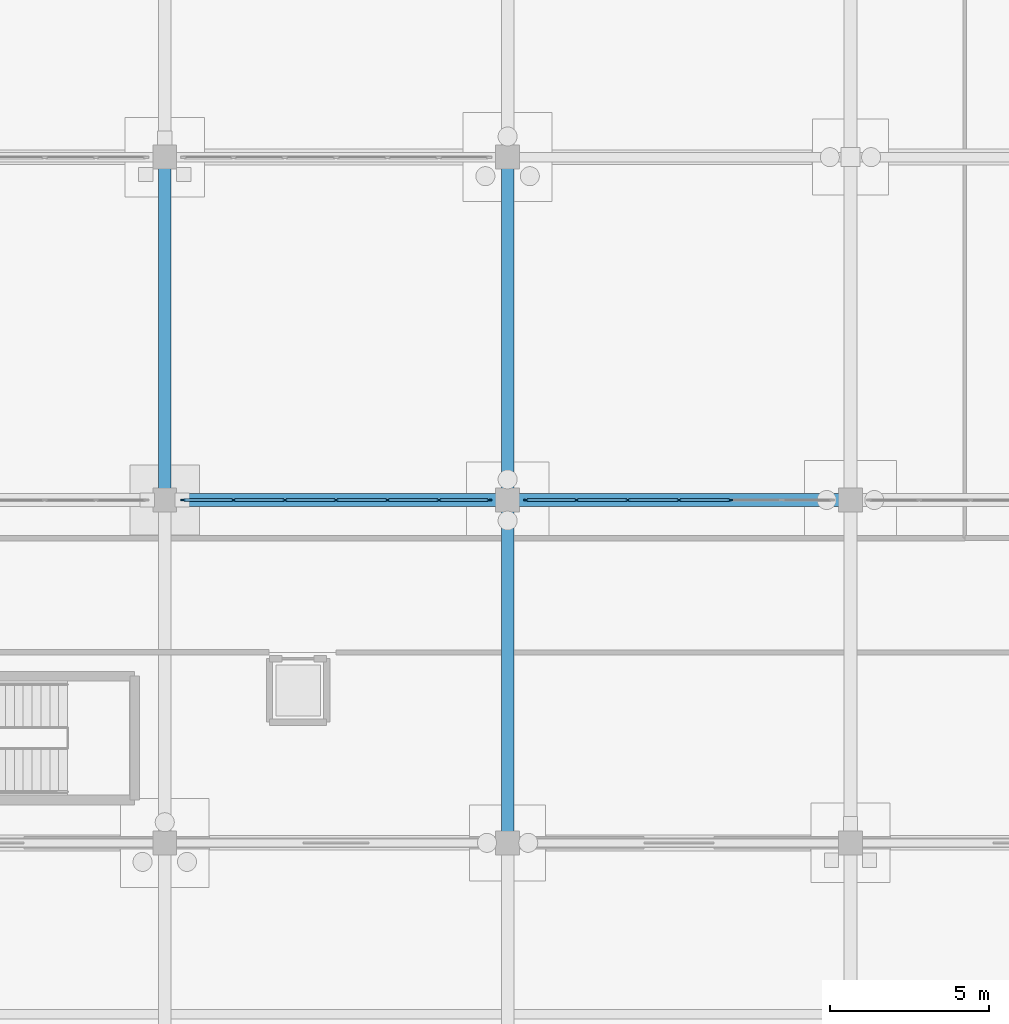
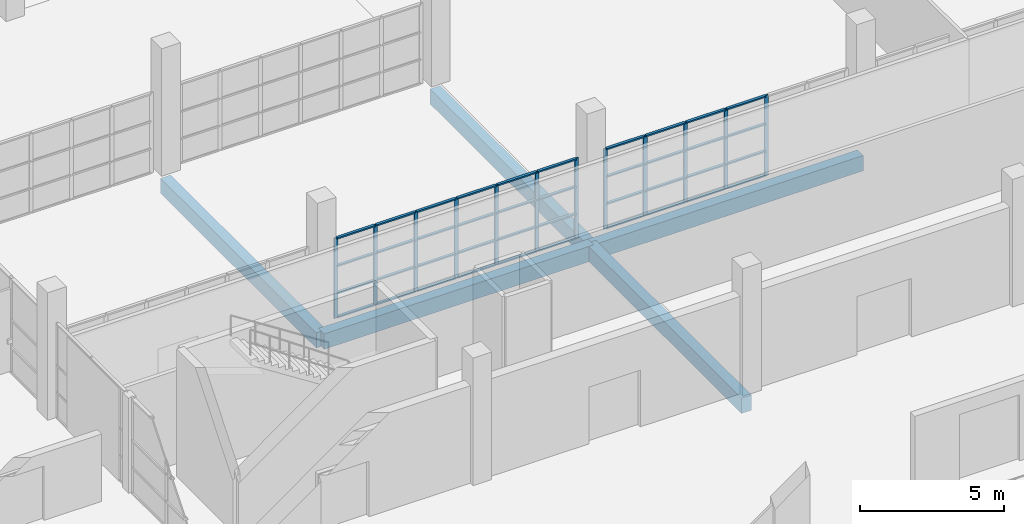
# One storey, part 34 of 138: 52 members, 5 beams, 2 elements without a shape of their own.
"""IFC4 building model written with IfcOpenShell, lengths in metres."""

from ifc_helpers import new_model, si_unit, direction, frame, origin, origin_2d, place, context, subcontext, project, spatial, rectangle, extrude, material, material_profile, profile_set, type_object, element, aggregate, save


model = new_model("IFC4")

# Units and contexts
model_context = context("Model", 3, precision=1e-05, world=origin(), true_north=direction((0.0, 1.0)))
body_context = subcontext(model_context, "Body", "Model", "MODEL_VIEW")
ifc_project = project(units=[si_unit("LENGTHUNIT", "METRE"), si_unit("AREAUNIT", "SQUARE_METRE"), si_unit("VOLUMEUNIT", "CUBIC_METRE"), si_unit("PLANEANGLEUNIT", "RADIAN"), si_unit("MASSUNIT", "GRAM", prefix="KILO")], contexts=[model_context])

# Site, building, storey
site_placement = place(None, origin())
site = spatial("IfcSite", under=ifc_project, at=site_placement, CompositionType="ELEMENT")
building_placement = place(site_placement, origin())
building = spatial("IfcBuilding", under=site, at=building_placement, Name="Zwinboog Wholesale Market", CompositionType="ELEMENT")
storey_placement = place(building_placement, origin())
storey = spatial("IfcBuildingStorey", under=building, at=storey_placement, Name="L00", CompositionType="ELEMENT", Elevation=0.0)

# Beams
ifc_material_1 = material(Name="Precast concrete C45/55", Category="concrete")
ifc_material_profile_1 = material_profile(ifc_material_1, rectangle(XDim=0.39990234375, YDim=0.64990234375, at=origin_2d()), Name="PC 400x650")
ifc_profile_set_1 = profile_set([ifc_material_profile_1], Name="Precast concrete C45/55")
beam_type = type_object("IfcBeamType", Name="BT-05", PredefinedType="BEAM", material=ifc_profile_set_1)
beam_placement = place(storey_placement, frame((75.60009765625, 54.0, -0.68994140625), z_axis=(1.0, 0.0, 0.0), x_axis=(0.0, 1.0, 0.0)))
element("IfcBeam", 1, at=beam_placement, inside=storey, type_object=beam_type, Name="BG-05 (BMG-L00-0756-0540-0074)", PredefinedType="BEAM", context=body_context, shape_type="SweptSolid", body=[
    extrude(rectangle(XDim=0.39990234375, YDim=0.64990234375, at=origin_2d()), origin(), (0.0, 0.0, 1.0), 10.7998046875),
])
for number, where, z_axis, x_axis, name in (
    (2, (86.39990234375, 54.0, -0.68994140625), (1.0, 0.0, 0.0), (0.0, 1.0, 0.0), "BG-05 (BMG-L00-0864-0540-0075)"),
    (3, (75.60009765625, 54.0, -0.68994140625), (0.0, 1.0, 0.0), (-1.0, 0.0, 0.0), "BG-05 (BMG-L00-0756-0540-0286)"),
    (4, (86.39990234375, 43.199951171875, -0.68994140625), (0.0, 1.0, 0.0), (-1.0, 0.0, 0.0), "BG-05 (BMG-L00-0864-0432-0293)"),
    (5, (86.39990234375, 54.0, -0.68994140625), (0.0, 1.0, 0.0), (-1.0, 0.0, 0.0), "BG-05 (BMG-L00-0864-0540-0294)"),
):
    element("IfcBeam", number, at=place(storey_placement, frame(where, z_axis=z_axis, x_axis=x_axis)), inside=storey, type_object=beam_type, Name=name, PredefinedType="BEAM", context=body_context, shape_type="SweptSolid", body=[
        extrude(rectangle(XDim=0.39990234375, YDim=0.64990234375, at=origin_2d()), origin(), (0.0, 0.0, 1.0), 10.800048828125),
    ])

# Curtain wall, members
ifc_material_2 = material(Name="Aluminium thermally broken curtain wall", Category="aluminium")
curtain_wall_type = type_object("IfcCurtainWallType", Name="CWT-INT-STALL", PredefinedType="USERDEFINED", material=ifc_material_2)
curtain_wall_1_placement = place(storey_placement, origin())
curtain_wall_1 = element("IfcCurtainWall", 6, at=curtain_wall_1_placement, inside=storey, type_object=curtain_wall_type, Name="CW-07 (CW-STL-182)", ObjectType="STOREFRONT_GLAZING", PredefinedType="USERDEFINED")
ifc_material_3 = material(Name="Aluminium EN AW-6060", Category="aluminium")
ifc_material_profile_2 = material_profile(ifc_material_3, rectangle(XDim=0.06005859375, YDim=0.14990234375, at=origin_2d()), Name="AL 60x150")
ifc_profile_set_2 = profile_set([ifc_material_profile_2], Name="Aluminium EN AW-6060")
member_type_1 = type_object("IfcMemberType", Name="CWM-INT-60x120", PredefinedType="MULLION", material=ifc_profile_set_2)
member_1_placement = place(storey_placement, frame((76.179931640625, 54.0, 0.0), z_axis=(0.0, 0.0, 1.0), x_axis=(0.0, 1.0, 0.0)))
member_1 = element("IfcMember", 7, at=member_1_placement, type_object=member_type_1, Name="CW-07 mullion 1", PredefinedType="MULLION", context=body_context, shape_type="SweptSolid", body=[
    extrude(rectangle(XDim=0.06005859375, YDim=0.14990234375, at=origin_2d()), origin(), (0.0, 0.0, 1.0), 3.39990234375),
])
member_2_placement = place(storey_placement, frame((77.7666015625, 54.0, 0.0), z_axis=(0.0, 0.0, 1.0), x_axis=(0.0, 1.0, 0.0)))
member_2 = element("IfcMember", 8, at=member_2_placement, type_object=member_type_1, Name="CW-07 mullion 2", PredefinedType="MULLION", context=body_context, shape_type="SweptSolid", body=[
    extrude(rectangle(XDim=0.06005859375, YDim=0.14990234375, at=origin_2d()), origin(), (0.0, 0.0, 1.0), 3.39990234375),
])
member_3_placement = place(storey_placement, frame((79.38330078125, 54.0, 0.0), z_axis=(0.0, 0.0, 1.0), x_axis=(0.0, 1.0, 0.0)))
member_3 = element("IfcMember", 9, at=member_3_placement, type_object=member_type_1, Name="CW-07 mullion 3", PredefinedType="MULLION", context=body_context, shape_type="SweptSolid", body=[
    extrude(rectangle(XDim=0.06005859375, YDim=0.14990234375, at=origin_2d()), origin(), (0.0, 0.0, 1.0), 3.39990234375),
])
member_4_placement = place(storey_placement, frame((81.0, 54.0, 0.0), z_axis=(0.0, 0.0, 1.0), x_axis=(0.0, 1.0, 0.0)))
member_4 = element("IfcMember", 10, at=member_4_placement, type_object=member_type_1, Name="CW-07 mullion 4", PredefinedType="MULLION", context=body_context, shape_type="SweptSolid", body=[
    extrude(rectangle(XDim=0.06005859375, YDim=0.14990234375, at=origin_2d()), origin(), (0.0, 0.0, 1.0), 3.39990234375),
])
member_5_placement = place(storey_placement, frame((82.61669921875, 54.0, 0.0), z_axis=(0.0, 0.0, 1.0), x_axis=(0.0, 1.0, 0.0)))
member_5 = element("IfcMember", 11, at=member_5_placement, type_object=member_type_1, Name="CW-07 mullion 5", PredefinedType="MULLION", context=body_context, shape_type="SweptSolid", body=[
    extrude(rectangle(XDim=0.06005859375, YDim=0.14990234375, at=origin_2d()), origin(), (0.0, 0.0, 1.0), 3.39990234375),
])
member_6_placement = place(storey_placement, frame((84.2333984375, 54.0, 0.0), z_axis=(0.0, 0.0, 1.0), x_axis=(0.0, 1.0, 0.0)))
member_6 = element("IfcMember", 12, at=member_6_placement, type_object=member_type_1, Name="CW-07 mullion 6", PredefinedType="MULLION", context=body_context, shape_type="SweptSolid", body=[
    extrude(rectangle(XDim=0.06005859375, YDim=0.14990234375, at=origin_2d()), origin(), (0.0, 0.0, 1.0), 3.39990234375),
])
member_7_placement = place(storey_placement, frame((85.820068359375, 54.0, 0.0), z_axis=(0.0, 0.0, 1.0), x_axis=(0.0, 1.0, 0.0)))
member_7 = element("IfcMember", 13, at=member_7_placement, type_object=member_type_1, Name="CW-07 mullion 7", PredefinedType="MULLION", context=body_context, shape_type="SweptSolid", body=[
    extrude(rectangle(XDim=0.06005859375, YDim=0.14990234375, at=origin_2d()), origin(), (0.0, 0.0, 1.0), 3.39990234375),
])

curtain_wall_2_placement = place(storey_placement, origin())
curtain_wall_2 = element("IfcCurtainWall", 14, at=curtain_wall_2_placement, inside=storey, type_object=curtain_wall_type, Name="CW-07 (CW-STL-183)", ObjectType="STOREFRONT_GLAZING", PredefinedType="USERDEFINED")
member_8_placement = place(storey_placement, frame((86.97998046875, 54.0, 0.0), z_axis=(0.0, 0.0, 1.0), x_axis=(0.0, 1.0, 0.0)))
member_8 = element("IfcMember", 15, at=member_8_placement, type_object=member_type_1, Name="CW-07 mullion 1", PredefinedType="MULLION", context=body_context, shape_type="SweptSolid", body=[
    extrude(rectangle(XDim=0.06005859375, YDim=0.14990234375, at=origin_2d()), origin(), (0.0, 0.0, 1.0), 3.39990234375),
])
member_9_placement = place(storey_placement, frame((88.566650390625, 54.0, 0.0), z_axis=(0.0, 0.0, 1.0), x_axis=(0.0, 1.0, 0.0)))
member_9 = element("IfcMember", 16, at=member_9_placement, type_object=member_type_1, Name="CW-07 mullion 2", PredefinedType="MULLION", context=body_context, shape_type="SweptSolid", body=[
    extrude(rectangle(XDim=0.06005859375, YDim=0.14990234375, at=origin_2d()), origin(), (0.0, 0.0, 1.0), 3.39990234375),
])
member_10_placement = place(storey_placement, frame((90.183349609375, 54.0, 0.0), z_axis=(0.0, 0.0, 1.0), x_axis=(0.0, 1.0, 0.0)))
member_10 = element("IfcMember", 17, at=member_10_placement, type_object=member_type_1, Name="CW-07 mullion 3", PredefinedType="MULLION", context=body_context, shape_type="SweptSolid", body=[
    extrude(rectangle(XDim=0.06005859375, YDim=0.14990234375, at=origin_2d()), origin(), (0.0, 0.0, 1.0), 3.39990234375),
])
member_11_placement = place(storey_placement, frame((91.800048828125, 54.0, 0.0), z_axis=(0.0, 0.0, 1.0), x_axis=(0.0, 1.0, 0.0)))
member_11 = element("IfcMember", 18, at=member_11_placement, type_object=member_type_1, Name="CW-07 mullion 4", PredefinedType="MULLION", context=body_context, shape_type="SweptSolid", body=[
    extrude(rectangle(XDim=0.06005859375, YDim=0.14990234375, at=origin_2d()), origin(), (0.0, 0.0, 1.0), 3.39990234375),
])
member_12_placement = place(storey_placement, frame((93.416748046875, 54.0, 0.0), z_axis=(0.0, 0.0, 1.0), x_axis=(0.0, 1.0, 0.0)))
member_12 = element("IfcMember", 19, at=member_12_placement, type_object=member_type_1, Name="CW-07 mullion 5", PredefinedType="MULLION", context=body_context, shape_type="SweptSolid", body=[
    extrude(rectangle(XDim=0.06005859375, YDim=0.14990234375, at=origin_2d()), origin(), (0.0, 0.0, 1.0), 3.39990234375),
])

# Member
ifc_material_profile_3 = material_profile(ifc_material_3, rectangle(XDim=0.110107421875, YDim=0.06005859375, at=origin_2d()), Name="AL 60x110")
ifc_profile_set_3 = profile_set([ifc_material_profile_3], Name="Aluminium EN AW-6060")
member_type_2 = type_object("IfcMemberType", Name="CWT-INT-60x100", PredefinedType="USERDEFINED", material=ifc_profile_set_3)
member_13_placement = place(storey_placement, frame((76.2099609375, 54.0, 0.030029296875), z_axis=(1.0, 0.0, 0.0), x_axis=(0.0, 1.0, 0.0)))
member_13 = element("IfcMember", 20, at=member_13_placement, type_object=member_type_2, Name="CW-07 transom 1.1", ObjectType="TRANSOM", PredefinedType="USERDEFINED", context=body_context, shape_type="SweptSolid", body=[
    extrude(rectangle(XDim=0.110107421875, YDim=0.06005859375, at=origin_2d()), origin(), (0.0, 0.0, 1.0), 1.526611328125),
])

member_14_placement = place(storey_placement, frame((76.2099609375, 54.0, 1.050048828125), z_axis=(1.0, 0.0, 0.0), x_axis=(0.0, 1.0, 0.0)))
member_14 = element("IfcMember", 21, at=member_14_placement, type_object=member_type_2, Name="CW-07 transom 1.2", ObjectType="TRANSOM", PredefinedType="USERDEFINED", context=body_context, shape_type="SweptSolid", body=[
    extrude(rectangle(XDim=0.110107421875, YDim=0.06005859375, at=origin_2d()), origin(), (0.0, 0.0, 1.0), 1.526611328125),
])

member_15_placement = place(storey_placement, frame((76.2099609375, 54.0, 2.199951171875), z_axis=(1.0, 0.0, 0.0), x_axis=(0.0, 1.0, 0.0)))
member_15 = element("IfcMember", 22, at=member_15_placement, type_object=member_type_2, Name="CW-07 transom 1.3", ObjectType="TRANSOM", PredefinedType="USERDEFINED", context=body_context, shape_type="SweptSolid", body=[
    extrude(rectangle(XDim=0.110107421875, YDim=0.06005859375, at=origin_2d()), origin(), (0.0, 0.0, 1.0), 1.526611328125),
])

member_16_placement = place(storey_placement, frame((76.2099609375, 54.0, 3.3701171875), z_axis=(1.0, 0.0, 0.0), x_axis=(0.0, 1.0, 0.0)))
member_16 = element("IfcMember", 23, at=member_16_placement, type_object=member_type_2, Name="CW-07 transom 1.4", ObjectType="TRANSOM", PredefinedType="USERDEFINED", context=body_context, shape_type="SweptSolid", body=[
    extrude(rectangle(XDim=0.110107421875, YDim=0.06005859375, at=origin_2d()), origin(), (0.0, 0.0, 1.0), 1.526611328125),
])

member_17_placement = place(storey_placement, frame((77.796630859375, 54.0, 0.030029296875), z_axis=(1.0, 0.0, 0.0), x_axis=(0.0, 1.0, 0.0)))
member_17 = element("IfcMember", 24, at=member_17_placement, type_object=member_type_2, Name="CW-07 transom 2.1", ObjectType="TRANSOM", PredefinedType="USERDEFINED", context=body_context, shape_type="SweptSolid", body=[
    extrude(rectangle(XDim=0.110107421875, YDim=0.06005859375, at=origin_2d()), origin(), (0.0, 0.0, 1.0), 1.556640625),
])

member_18_placement = place(storey_placement, frame((77.796630859375, 54.0, 1.050048828125), z_axis=(1.0, 0.0, 0.0), x_axis=(0.0, 1.0, 0.0)))
member_18 = element("IfcMember", 25, at=member_18_placement, type_object=member_type_2, Name="CW-07 transom 2.2", ObjectType="TRANSOM", PredefinedType="USERDEFINED", context=body_context, shape_type="SweptSolid", body=[
    extrude(rectangle(XDim=0.110107421875, YDim=0.06005859375, at=origin_2d()), origin(), (0.0, 0.0, 1.0), 1.556640625),
])

member_19_placement = place(storey_placement, frame((77.796630859375, 54.0, 2.199951171875), z_axis=(1.0, 0.0, 0.0), x_axis=(0.0, 1.0, 0.0)))
member_19 = element("IfcMember", 26, at=member_19_placement, type_object=member_type_2, Name="CW-07 transom 2.3", ObjectType="TRANSOM", PredefinedType="USERDEFINED", context=body_context, shape_type="SweptSolid", body=[
    extrude(rectangle(XDim=0.110107421875, YDim=0.06005859375, at=origin_2d()), origin(), (0.0, 0.0, 1.0), 1.556640625),
])

member_20_placement = place(storey_placement, frame((77.796630859375, 54.0, 3.3701171875), z_axis=(1.0, 0.0, 0.0), x_axis=(0.0, 1.0, 0.0)))
member_20 = element("IfcMember", 27, at=member_20_placement, type_object=member_type_2, Name="CW-07 transom 2.4", ObjectType="TRANSOM", PredefinedType="USERDEFINED", context=body_context, shape_type="SweptSolid", body=[
    extrude(rectangle(XDim=0.110107421875, YDim=0.06005859375, at=origin_2d()), origin(), (0.0, 0.0, 1.0), 1.556640625),
])

member_21_placement = place(storey_placement, frame((79.413330078125, 54.0, 0.030029296875), z_axis=(1.0, 0.0, 0.0), x_axis=(0.0, 1.0, 0.0)))
member_21 = element("IfcMember", 28, at=member_21_placement, type_object=member_type_2, Name="CW-07 transom 3.1", ObjectType="TRANSOM", PredefinedType="USERDEFINED", context=body_context, shape_type="SweptSolid", body=[
    extrude(rectangle(XDim=0.110107421875, YDim=0.06005859375, at=origin_2d()), origin(), (0.0, 0.0, 1.0), 1.556640625),
])

member_22_placement = place(storey_placement, frame((79.413330078125, 54.0, 1.050048828125), z_axis=(1.0, 0.0, 0.0), x_axis=(0.0, 1.0, 0.0)))
member_22 = element("IfcMember", 29, at=member_22_placement, type_object=member_type_2, Name="CW-07 transom 3.2", ObjectType="TRANSOM", PredefinedType="USERDEFINED", context=body_context, shape_type="SweptSolid", body=[
    extrude(rectangle(XDim=0.110107421875, YDim=0.06005859375, at=origin_2d()), origin(), (0.0, 0.0, 1.0), 1.556640625),
])

member_23_placement = place(storey_placement, frame((79.413330078125, 54.0, 2.199951171875), z_axis=(1.0, 0.0, 0.0), x_axis=(0.0, 1.0, 0.0)))
member_23 = element("IfcMember", 30, at=member_23_placement, type_object=member_type_2, Name="CW-07 transom 3.3", ObjectType="TRANSOM", PredefinedType="USERDEFINED", context=body_context, shape_type="SweptSolid", body=[
    extrude(rectangle(XDim=0.110107421875, YDim=0.06005859375, at=origin_2d()), origin(), (0.0, 0.0, 1.0), 1.556640625),
])

member_24_placement = place(storey_placement, frame((79.413330078125, 54.0, 3.3701171875), z_axis=(1.0, 0.0, 0.0), x_axis=(0.0, 1.0, 0.0)))
member_24 = element("IfcMember", 31, at=member_24_placement, type_object=member_type_2, Name="CW-07 transom 3.4", ObjectType="TRANSOM", PredefinedType="USERDEFINED", context=body_context, shape_type="SweptSolid", body=[
    extrude(rectangle(XDim=0.110107421875, YDim=0.06005859375, at=origin_2d()), origin(), (0.0, 0.0, 1.0), 1.556640625),
])

member_25_placement = place(storey_placement, frame((81.030029296875, 54.0, 0.030029296875), z_axis=(1.0, 0.0, 0.0), x_axis=(0.0, 1.0, 0.0)))
member_25 = element("IfcMember", 32, at=member_25_placement, type_object=member_type_2, Name="CW-07 transom 4.1", ObjectType="TRANSOM", PredefinedType="USERDEFINED", context=body_context, shape_type="SweptSolid", body=[
    extrude(rectangle(XDim=0.110107421875, YDim=0.06005859375, at=origin_2d()), origin(), (0.0, 0.0, 1.0), 1.556640625),
])

member_26_placement = place(storey_placement, frame((81.030029296875, 54.0, 1.050048828125), z_axis=(1.0, 0.0, 0.0), x_axis=(0.0, 1.0, 0.0)))
member_26 = element("IfcMember", 33, at=member_26_placement, type_object=member_type_2, Name="CW-07 transom 4.2", ObjectType="TRANSOM", PredefinedType="USERDEFINED", context=body_context, shape_type="SweptSolid", body=[
    extrude(rectangle(XDim=0.110107421875, YDim=0.06005859375, at=origin_2d()), origin(), (0.0, 0.0, 1.0), 1.556640625),
])

member_27_placement = place(storey_placement, frame((81.030029296875, 54.0, 2.199951171875), z_axis=(1.0, 0.0, 0.0), x_axis=(0.0, 1.0, 0.0)))
member_27 = element("IfcMember", 34, at=member_27_placement, type_object=member_type_2, Name="CW-07 transom 4.3", ObjectType="TRANSOM", PredefinedType="USERDEFINED", context=body_context, shape_type="SweptSolid", body=[
    extrude(rectangle(XDim=0.110107421875, YDim=0.06005859375, at=origin_2d()), origin(), (0.0, 0.0, 1.0), 1.556640625),
])

member_28_placement = place(storey_placement, frame((81.030029296875, 54.0, 3.3701171875), z_axis=(1.0, 0.0, 0.0), x_axis=(0.0, 1.0, 0.0)))
member_28 = element("IfcMember", 35, at=member_28_placement, type_object=member_type_2, Name="CW-07 transom 4.4", ObjectType="TRANSOM", PredefinedType="USERDEFINED", context=body_context, shape_type="SweptSolid", body=[
    extrude(rectangle(XDim=0.110107421875, YDim=0.06005859375, at=origin_2d()), origin(), (0.0, 0.0, 1.0), 1.556640625),
])

member_29_placement = place(storey_placement, frame((82.646728515625, 54.0, 0.030029296875), z_axis=(1.0, 0.0, 0.0), x_axis=(0.0, 1.0, 0.0)))
member_29 = element("IfcMember", 36, at=member_29_placement, type_object=member_type_2, Name="CW-07 transom 5.1", ObjectType="TRANSOM", PredefinedType="USERDEFINED", context=body_context, shape_type="SweptSolid", body=[
    extrude(rectangle(XDim=0.110107421875, YDim=0.06005859375, at=origin_2d()), origin(), (0.0, 0.0, 1.0), 1.556640625),
])

member_30_placement = place(storey_placement, frame((82.646728515625, 54.0, 1.050048828125), z_axis=(1.0, 0.0, 0.0), x_axis=(0.0, 1.0, 0.0)))
member_30 = element("IfcMember", 37, at=member_30_placement, type_object=member_type_2, Name="CW-07 transom 5.2", ObjectType="TRANSOM", PredefinedType="USERDEFINED", context=body_context, shape_type="SweptSolid", body=[
    extrude(rectangle(XDim=0.110107421875, YDim=0.06005859375, at=origin_2d()), origin(), (0.0, 0.0, 1.0), 1.556640625),
])

member_31_placement = place(storey_placement, frame((82.646728515625, 54.0, 2.199951171875), z_axis=(1.0, 0.0, 0.0), x_axis=(0.0, 1.0, 0.0)))
member_31 = element("IfcMember", 38, at=member_31_placement, type_object=member_type_2, Name="CW-07 transom 5.3", ObjectType="TRANSOM", PredefinedType="USERDEFINED", context=body_context, shape_type="SweptSolid", body=[
    extrude(rectangle(XDim=0.110107421875, YDim=0.06005859375, at=origin_2d()), origin(), (0.0, 0.0, 1.0), 1.556640625),
])

member_32_placement = place(storey_placement, frame((82.646728515625, 54.0, 3.3701171875), z_axis=(1.0, 0.0, 0.0), x_axis=(0.0, 1.0, 0.0)))
member_32 = element("IfcMember", 39, at=member_32_placement, type_object=member_type_2, Name="CW-07 transom 5.4", ObjectType="TRANSOM", PredefinedType="USERDEFINED", context=body_context, shape_type="SweptSolid", body=[
    extrude(rectangle(XDim=0.110107421875, YDim=0.06005859375, at=origin_2d()), origin(), (0.0, 0.0, 1.0), 1.556640625),
])

member_33_placement = place(storey_placement, frame((84.263427734375, 54.0, 0.030029296875), z_axis=(1.0, 0.0, 0.0), x_axis=(0.0, 1.0, 0.0)))
member_33 = element("IfcMember", 40, at=member_33_placement, type_object=member_type_2, Name="CW-07 transom 6.1", ObjectType="TRANSOM", PredefinedType="USERDEFINED", context=body_context, shape_type="SweptSolid", body=[
    extrude(rectangle(XDim=0.110107421875, YDim=0.06005859375, at=origin_2d()), origin(), (0.0, 0.0, 1.0), 1.526611328125),
])

member_34_placement = place(storey_placement, frame((84.263427734375, 54.0, 1.050048828125), z_axis=(1.0, 0.0, 0.0), x_axis=(0.0, 1.0, 0.0)))
member_34 = element("IfcMember", 41, at=member_34_placement, type_object=member_type_2, Name="CW-07 transom 6.2", ObjectType="TRANSOM", PredefinedType="USERDEFINED", context=body_context, shape_type="SweptSolid", body=[
    extrude(rectangle(XDim=0.110107421875, YDim=0.06005859375, at=origin_2d()), origin(), (0.0, 0.0, 1.0), 1.526611328125),
])

member_35_placement = place(storey_placement, frame((84.263427734375, 54.0, 2.199951171875), z_axis=(1.0, 0.0, 0.0), x_axis=(0.0, 1.0, 0.0)))
member_35 = element("IfcMember", 42, at=member_35_placement, type_object=member_type_2, Name="CW-07 transom 6.3", ObjectType="TRANSOM", PredefinedType="USERDEFINED", context=body_context, shape_type="SweptSolid", body=[
    extrude(rectangle(XDim=0.110107421875, YDim=0.06005859375, at=origin_2d()), origin(), (0.0, 0.0, 1.0), 1.526611328125),
])

member_36_placement = place(storey_placement, frame((84.263427734375, 54.0, 3.3701171875), z_axis=(1.0, 0.0, 0.0), x_axis=(0.0, 1.0, 0.0)))
member_36 = element("IfcMember", 43, at=member_36_placement, type_object=member_type_2, Name="CW-07 transom 6.4", ObjectType="TRANSOM", PredefinedType="USERDEFINED", context=body_context, shape_type="SweptSolid", body=[
    extrude(rectangle(XDim=0.110107421875, YDim=0.06005859375, at=origin_2d()), origin(), (0.0, 0.0, 1.0), 1.526611328125),
])

aggregate(curtain_wall_1, [member_1, member_2, member_3, member_4, member_5, member_6, member_7, member_13, member_14, member_15, member_16, member_17, member_18, member_19, member_20, member_21, member_22, member_23, member_24, member_25, member_26, member_27, member_28, member_29, member_30, member_31, member_32, member_33, member_34, member_35, member_36])

member_37_placement = place(storey_placement, frame((87.010009765625, 54.0, 0.030029296875), z_axis=(1.0, 0.0, 0.0), x_axis=(0.0, 1.0, 0.0)))
member_37 = element("IfcMember", 44, at=member_37_placement, type_object=member_type_2, Name="CW-07 transom 1.1", ObjectType="TRANSOM", PredefinedType="USERDEFINED", context=body_context, shape_type="SweptSolid", body=[
    extrude(rectangle(XDim=0.110107421875, YDim=0.06005859375, at=origin_2d()), origin(), (0.0, 0.0, 1.0), 1.526611328125),
])

member_38_placement = place(storey_placement, frame((87.010009765625, 54.0, 1.050048828125), z_axis=(1.0, 0.0, 0.0), x_axis=(0.0, 1.0, 0.0)))
member_38 = element("IfcMember", 45, at=member_38_placement, type_object=member_type_2, Name="CW-07 transom 1.2", ObjectType="TRANSOM", PredefinedType="USERDEFINED", context=body_context, shape_type="SweptSolid", body=[
    extrude(rectangle(XDim=0.110107421875, YDim=0.06005859375, at=origin_2d()), origin(), (0.0, 0.0, 1.0), 1.526611328125),
])

member_39_placement = place(storey_placement, frame((87.010009765625, 54.0, 2.199951171875), z_axis=(1.0, 0.0, 0.0), x_axis=(0.0, 1.0, 0.0)))
member_39 = element("IfcMember", 46, at=member_39_placement, type_object=member_type_2, Name="CW-07 transom 1.3", ObjectType="TRANSOM", PredefinedType="USERDEFINED", context=body_context, shape_type="SweptSolid", body=[
    extrude(rectangle(XDim=0.110107421875, YDim=0.06005859375, at=origin_2d()), origin(), (0.0, 0.0, 1.0), 1.526611328125),
])

member_40_placement = place(storey_placement, frame((87.010009765625, 54.0, 3.3701171875), z_axis=(1.0, 0.0, 0.0), x_axis=(0.0, 1.0, 0.0)))
member_40 = element("IfcMember", 47, at=member_40_placement, type_object=member_type_2, Name="CW-07 transom 1.4", ObjectType="TRANSOM", PredefinedType="USERDEFINED", context=body_context, shape_type="SweptSolid", body=[
    extrude(rectangle(XDim=0.110107421875, YDim=0.06005859375, at=origin_2d()), origin(), (0.0, 0.0, 1.0), 1.526611328125),
])

member_41_placement = place(storey_placement, frame((88.5966796875, 54.0, 0.030029296875), z_axis=(1.0, 0.0, 0.0), x_axis=(0.0, 1.0, 0.0)))
member_41 = element("IfcMember", 48, at=member_41_placement, type_object=member_type_2, Name="CW-07 transom 2.1", ObjectType="TRANSOM", PredefinedType="USERDEFINED", context=body_context, shape_type="SweptSolid", body=[
    extrude(rectangle(XDim=0.110107421875, YDim=0.06005859375, at=origin_2d()), origin(), (0.0, 0.0, 1.0), 1.556640625),
])

member_42_placement = place(storey_placement, frame((88.5966796875, 54.0, 1.050048828125), z_axis=(1.0, 0.0, 0.0), x_axis=(0.0, 1.0, 0.0)))
member_42 = element("IfcMember", 49, at=member_42_placement, type_object=member_type_2, Name="CW-07 transom 2.2", ObjectType="TRANSOM", PredefinedType="USERDEFINED", context=body_context, shape_type="SweptSolid", body=[
    extrude(rectangle(XDim=0.110107421875, YDim=0.06005859375, at=origin_2d()), origin(), (0.0, 0.0, 1.0), 1.556640625),
])

member_43_placement = place(storey_placement, frame((88.5966796875, 54.0, 2.199951171875), z_axis=(1.0, 0.0, 0.0), x_axis=(0.0, 1.0, 0.0)))
member_43 = element("IfcMember", 50, at=member_43_placement, type_object=member_type_2, Name="CW-07 transom 2.3", ObjectType="TRANSOM", PredefinedType="USERDEFINED", context=body_context, shape_type="SweptSolid", body=[
    extrude(rectangle(XDim=0.110107421875, YDim=0.06005859375, at=origin_2d()), origin(), (0.0, 0.0, 1.0), 1.556640625),
])

member_44_placement = place(storey_placement, frame((88.5966796875, 54.0, 3.3701171875), z_axis=(1.0, 0.0, 0.0), x_axis=(0.0, 1.0, 0.0)))
member_44 = element("IfcMember", 51, at=member_44_placement, type_object=member_type_2, Name="CW-07 transom 2.4", ObjectType="TRANSOM", PredefinedType="USERDEFINED", context=body_context, shape_type="SweptSolid", body=[
    extrude(rectangle(XDim=0.110107421875, YDim=0.06005859375, at=origin_2d()), origin(), (0.0, 0.0, 1.0), 1.556640625),
])

member_45_placement = place(storey_placement, frame((90.21337890625, 54.0, 0.030029296875), z_axis=(1.0, 0.0, 0.0), x_axis=(0.0, 1.0, 0.0)))
member_45 = element("IfcMember", 52, at=member_45_placement, type_object=member_type_2, Name="CW-07 transom 3.1", ObjectType="TRANSOM", PredefinedType="USERDEFINED", context=body_context, shape_type="SweptSolid", body=[
    extrude(rectangle(XDim=0.110107421875, YDim=0.06005859375, at=origin_2d()), origin(), (0.0, 0.0, 1.0), 1.556640625),
])

member_46_placement = place(storey_placement, frame((90.21337890625, 54.0, 1.050048828125), z_axis=(1.0, 0.0, 0.0), x_axis=(0.0, 1.0, 0.0)))
member_46 = element("IfcMember", 53, at=member_46_placement, type_object=member_type_2, Name="CW-07 transom 3.2", ObjectType="TRANSOM", PredefinedType="USERDEFINED", context=body_context, shape_type="SweptSolid", body=[
    extrude(rectangle(XDim=0.110107421875, YDim=0.06005859375, at=origin_2d()), origin(), (0.0, 0.0, 1.0), 1.556640625),
])

member_47_placement = place(storey_placement, frame((90.21337890625, 54.0, 2.199951171875), z_axis=(1.0, 0.0, 0.0), x_axis=(0.0, 1.0, 0.0)))
member_47 = element("IfcMember", 54, at=member_47_placement, type_object=member_type_2, Name="CW-07 transom 3.3", ObjectType="TRANSOM", PredefinedType="USERDEFINED", context=body_context, shape_type="SweptSolid", body=[
    extrude(rectangle(XDim=0.110107421875, YDim=0.06005859375, at=origin_2d()), origin(), (0.0, 0.0, 1.0), 1.556640625),
])

member_48_placement = place(storey_placement, frame((90.21337890625, 54.0, 3.3701171875), z_axis=(1.0, 0.0, 0.0), x_axis=(0.0, 1.0, 0.0)))
member_48 = element("IfcMember", 55, at=member_48_placement, type_object=member_type_2, Name="CW-07 transom 3.4", ObjectType="TRANSOM", PredefinedType="USERDEFINED", context=body_context, shape_type="SweptSolid", body=[
    extrude(rectangle(XDim=0.110107421875, YDim=0.06005859375, at=origin_2d()), origin(), (0.0, 0.0, 1.0), 1.556640625),
])

member_49_placement = place(storey_placement, frame((91.830078125, 54.0, 0.030029296875), z_axis=(1.0, 0.0, 0.0), x_axis=(0.0, 1.0, 0.0)))
member_49 = element("IfcMember", 56, at=member_49_placement, type_object=member_type_2, Name="CW-07 transom 4.1", ObjectType="TRANSOM", PredefinedType="USERDEFINED", context=body_context, shape_type="SweptSolid", body=[
    extrude(rectangle(XDim=0.110107421875, YDim=0.06005859375, at=origin_2d()), origin(), (0.0, 0.0, 1.0), 1.556640625),
])

member_50_placement = place(storey_placement, frame((91.830078125, 54.0, 1.050048828125), z_axis=(1.0, 0.0, 0.0), x_axis=(0.0, 1.0, 0.0)))
member_50 = element("IfcMember", 57, at=member_50_placement, type_object=member_type_2, Name="CW-07 transom 4.2", ObjectType="TRANSOM", PredefinedType="USERDEFINED", context=body_context, shape_type="SweptSolid", body=[
    extrude(rectangle(XDim=0.110107421875, YDim=0.06005859375, at=origin_2d()), origin(), (0.0, 0.0, 1.0), 1.556640625),
])

member_51_placement = place(storey_placement, frame((91.830078125, 54.0, 2.199951171875), z_axis=(1.0, 0.0, 0.0), x_axis=(0.0, 1.0, 0.0)))
member_51 = element("IfcMember", 58, at=member_51_placement, type_object=member_type_2, Name="CW-07 transom 4.3", ObjectType="TRANSOM", PredefinedType="USERDEFINED", context=body_context, shape_type="SweptSolid", body=[
    extrude(rectangle(XDim=0.110107421875, YDim=0.06005859375, at=origin_2d()), origin(), (0.0, 0.0, 1.0), 1.556640625),
])

member_52_placement = place(storey_placement, frame((91.830078125, 54.0, 3.3701171875), z_axis=(1.0, 0.0, 0.0), x_axis=(0.0, 1.0, 0.0)))
member_52 = element("IfcMember", 59, at=member_52_placement, type_object=member_type_2, Name="CW-07 transom 4.4", ObjectType="TRANSOM", PredefinedType="USERDEFINED", context=body_context, shape_type="SweptSolid", body=[
    extrude(rectangle(XDim=0.110107421875, YDim=0.06005859375, at=origin_2d()), origin(), (0.0, 0.0, 1.0), 1.556640625),
])

aggregate(curtain_wall_2, [member_8, member_9, member_10, member_11, member_12, member_37, member_38, member_39, member_40, member_41, member_42, member_43, member_44, member_45, member_46, member_47, member_48, member_49, member_50, member_51, member_52])

save(model, "model.ifc")
